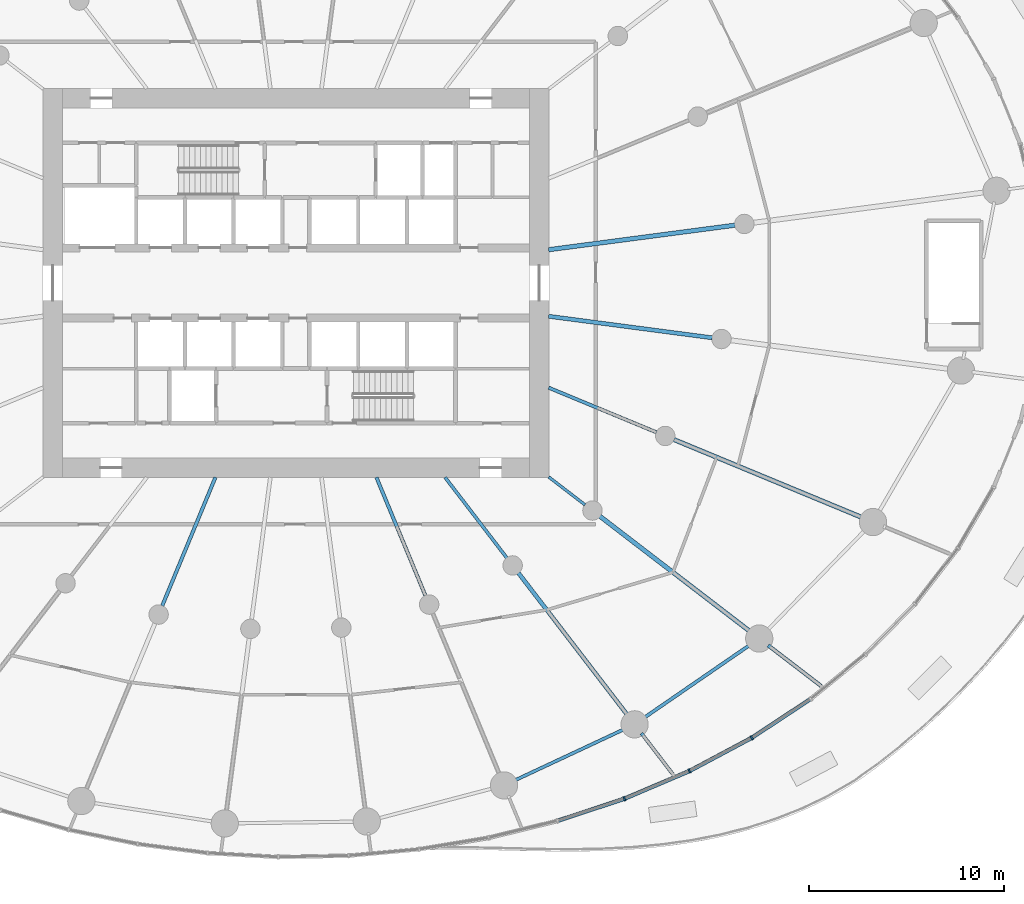
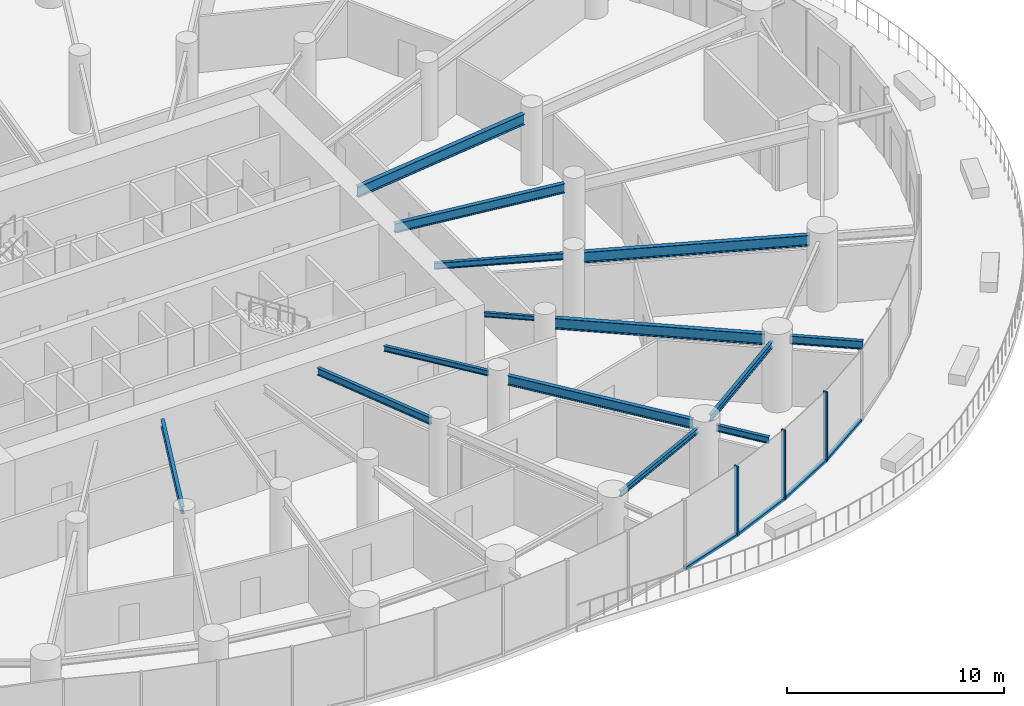
# One storey, part 4 of 21: 14 beams, 7 members, 1 element without a shape of its own.
"""IFC4 building model written with IfcOpenShell, lengths in metres."""

from ifc_helpers import new_model, si_unit, direction, frame, origin, origin_2d, place, context, subcontext, project, spatial, rectangle, i_section, extrude, source, transform, mapped, material, layer, layer_set, material_profile, profile_set, type_object, element, aggregate, save


model = new_model("IFC4")

# Units and contexts
model_context = context("Model", 3, precision=1e-05, world=origin(), true_north=direction((0.0, 1.0)))
body_context = subcontext(model_context, "Body", "Model", "MODEL_VIEW")
ifc_project = project(units=[si_unit("LENGTHUNIT", "METRE"), si_unit("AREAUNIT", "SQUARE_METRE"), si_unit("VOLUMEUNIT", "CUBIC_METRE"), si_unit("PLANEANGLEUNIT", "RADIAN"), si_unit("MASSUNIT", "GRAM", prefix="KILO")], contexts=[model_context])

# Site, building, storey
site_placement = place(None, origin())
site = spatial("IfcSite", under=ifc_project, at=site_placement, CompositionType="ELEMENT")
building_placement = place(site_placement, origin())
building = spatial("IfcBuilding", under=site, at=building_placement, Name="Spindrift Exchange Tower", CompositionType="ELEMENT")
storey_placement = place(building_placement, frame((0.0, 0.0, 18.199951171875)))
storey = spatial("IfcBuildingStorey", under=building, at=storey_placement, Name="L04", CompositionType="ELEMENT", Elevation=18.199951171875)

# Beams
ifc_material_1 = material(Name="Steel Grade 300", Category="steel")
ifc_material_profile_1 = material_profile(ifc_material_1, i_section(OverallWidth=0.22802734375, OverallDepth=0.60693359375, WebThickness=0.01123046875, FlangeThickness=0.017333984375, FilletRadius=0.013916015625, at=origin_2d()), Name="610UB113")
ifc_profile_set_1 = profile_set([ifc_material_profile_1], Name="Steel Grade 300")
beam_type_1 = type_object("IfcBeamType", Name="Floor Beam 610UB113 Steel Grade 300", PredefinedType="BEAM", material=ifc_profile_set_1)
shared_shape_1 = source(origin(), body_context, "Body", "SweptSolid", [
    extrude(i_section(OverallWidth=0.22802734375, OverallDepth=0.60693359375, WebThickness=0.01123046875, FlangeThickness=0.017333984375, FilletRadius=0.013916015625, at=origin_2d()), origin(), (0.0, 0.0, 1.0), 9.660400390625),
])
beam_1_placement = place(storey_placement, frame((64.980224609375, 49.708984375, 3.646484375), z_axis=(0.99144767089, 0.130504850054, 0.0), x_axis=(-0.130504850054, 0.99144767089, 0.0)))
element("IfcBeam", 1, at=beam_1_placement, inside=storey, type_object=beam_type_1, Name="L04 radial beam R01A", PredefinedType="BEAM", context=body_context, shape_type="MappedRepresentation", body=[
    mapped(shared_shape_1, transform((0.0, 0.0, 0.0), scale=1.0)),
])
ifc_material_profile_2 = material_profile(ifc_material_1, i_section(OverallWidth=0.177978515625, OverallDepth=0.406005859375, WebThickness=0.0078125, FlangeThickness=0.0126953125, FilletRadius=0.013916015625, at=origin_2d()), Name="410UB59.7")
ifc_profile_set_2 = profile_set([ifc_material_profile_2], Name="Steel Grade 300")
beam_type_2 = type_object("IfcBeamType", Name="Floor Beam 410UB59.7 Steel Grade 300", PredefinedType="BEAM", material=ifc_profile_set_2)
shared_shape_2 = source(origin(), body_context, "Body", "SweptSolid", [
    extrude(i_section(OverallWidth=0.177978515625, OverallDepth=0.406005859375, WebThickness=0.0078125, FlangeThickness=0.0126953125, FilletRadius=0.013916015625, at=origin_2d()), origin(), (0.0, 0.0, 1.0), 7.150634765625),
])
beam_2_placement = place(storey_placement, frame((47.865478515625, 38.0185546875, 3.7470703125), z_axis=(-0.382665393358, -0.923887004306, 0.0), x_axis=(0.923887004306, -0.382665393358, 0.0)))
element("IfcBeam", 2, at=beam_2_placement, inside=storey, type_object=beam_type_2, Name="L04 radial beam R17A", PredefinedType="BEAM", context=body_context, shape_type="MappedRepresentation", body=[
    mapped(shared_shape_2, transform((0.0, 0.0, 0.0), scale=1.0)),
])
shared_shape_3 = source(origin(), body_context, "Body", "SweptSolid", [
    extrude(i_section(OverallWidth=0.177978515625, OverallDepth=0.406005859375, WebThickness=0.0078125, FlangeThickness=0.0126953125, FilletRadius=0.013916015625, at=origin_2d()), origin(), (0.0, 0.0, 1.0), 6.594482421875),
])
beam_3_placement = place(storey_placement, frame((56.134521484375, 38.0185546875, 3.7470703125), z_axis=(0.382692929746, -0.92387559851, 0.0), x_axis=(0.92387559851, 0.382692929746, 0.0)))
element("IfcBeam", 3, at=beam_3_placement, inside=storey, type_object=beam_type_2, Name="L04 radial beam R20A", PredefinedType="BEAM", context=body_context, shape_type="MappedRepresentation", body=[
    mapped(shared_shape_3, transform((0.0, 0.0, 0.0), scale=1.0)),
])
ifc_material_profile_3 = material_profile(ifc_material_1, i_section(OverallWidth=0.1650390625, OverallDepth=0.303955078125, WebThickness=0.006103515625, FlangeThickness=0.01025390625, FilletRadius=0.011474609375, at=origin_2d()), Name="310UB40.4")
ifc_profile_set_3 = profile_set([ifc_material_profile_3], Name="Steel Grade 300")
beam_type_3 = type_object("IfcBeamType", Name="Floor Beam 310UB40.4 Steel Grade 300", PredefinedType="BEAM", material=ifc_profile_set_3)
shared_shape_4 = source(origin(), body_context, "Body", "SweptSolid", [
    extrude(i_section(OverallWidth=0.1650390625, OverallDepth=0.303955078125, WebThickness=0.006103515625, FlangeThickness=0.01025390625, FilletRadius=0.011474609375, at=origin_2d()), origin(), (0.0, 0.0, 1.0), 5.224609375),
])
beam_4_placement = place(storey_placement, frame((59.6611328125, 38.015869140625, 3.798095703125), z_axis=(0.608741499316, -0.793368632485, 0.0), x_axis=(0.793368632485, 0.608741499316, 0.0)))
element("IfcBeam", 4, at=beam_4_placement, inside=storey, type_object=beam_type_3, Name="L04 radial beam R21A", PredefinedType="BEAM", context=body_context, shape_type="MappedRepresentation", body=[
    mapped(shared_shape_4, transform((0.0, 0.0, 0.0), scale=1.0)),
])
ifc_material_profile_4 = material_profile(ifc_material_1, i_section(OverallWidth=0.208984375, OverallDepth=0.532958984375, WebThickness=0.01025390625, FlangeThickness=0.015625, FilletRadius=0.013916015625, at=origin_2d()), Name="530UB92.4")
ifc_profile_set_4 = profile_set([ifc_material_profile_4], Name="Steel Grade 300")
beam_type_4 = type_object("IfcBeamType", Name="Floor Beam 530UB92.4 Steel Grade 300", PredefinedType="BEAM", material=ifc_profile_set_4)
shared_shape_5 = source(origin(), body_context, "Body", "SweptSolid", [
    extrude(i_section(OverallWidth=0.208984375, OverallDepth=0.532958984375, WebThickness=0.01025390625, FlangeThickness=0.015625, FilletRadius=0.013916015625, at=origin_2d()), origin(), (0.0, 0.0, 1.0), 9.227783203125),
])
beam_5_placement = place(storey_placement, frame((63.426025390625, 33.109375, 3.68359375), z_axis=(0.608747534474, -0.79336400175, 0.0), x_axis=(0.79336400175, 0.608747534474, 0.0)))
element("IfcBeam", 5, at=beam_5_placement, inside=storey, type_object=beam_type_4, Name="L04 radial beam R21B", PredefinedType="BEAM", context=body_context, shape_type="MappedRepresentation", body=[
    mapped(shared_shape_5, transform((0.0, 0.0, 0.0), scale=1.0)),
])
ifc_material_profile_5 = material_profile(ifc_material_1, i_section(OverallWidth=0.14599609375, OverallDepth=0.251953125, WebThickness=0.006103515625, FlangeThickness=0.008544921875, FilletRadius=0.011962890625, at=origin_2d()), Name="250UB31.4")
ifc_profile_set_5 = profile_set([ifc_material_profile_5], Name="Steel Grade 300")
beam_type_5 = type_object("IfcBeamType", Name="Floor Beam 250UB31.4 Steel Grade 300", PredefinedType="BEAM", material=ifc_profile_set_5)
shared_shape_6 = source(origin(), body_context, "Body", "SweptSolid", [
    extrude(i_section(OverallWidth=0.14599609375, OverallDepth=0.251953125, WebThickness=0.006103515625, FlangeThickness=0.008544921875, FilletRadius=0.011962890625, at=origin_2d()), origin(), (0.0, 0.0, 1.0), 2.353759765625),
])
beam_6_placement = place(storey_placement, frame((64.984130859375, 38.036865234375, 3.823974609375), z_axis=(0.793367573265, -0.608742879787, 0.0), x_axis=(0.608742879787, 0.793367573265, 0.0)))
element("IfcBeam", 6, at=beam_6_placement, inside=storey, type_object=beam_type_5, Name="L04 radial beam R22A", PredefinedType="BEAM", context=body_context, shape_type="MappedRepresentation", body=[
    mapped(shared_shape_6, transform((0.0, 0.0, 0.0), scale=1.0)),
])
shared_shape_7 = source(origin(), body_context, "Body", "SweptSolid", [
    extrude(i_section(OverallWidth=0.22802734375, OverallDepth=0.60693359375, WebThickness=0.01123046875, FlangeThickness=0.017333984375, FilletRadius=0.013916015625, at=origin_2d()), origin(), (0.0, 0.0, 1.0), 9.73974609375),
])
beam_7_placement = place(storey_placement, frame((67.61328125, 36.01953125, 3.646484375), z_axis=(0.793352119621, -0.608763019814, 0.0), x_axis=(0.608763019814, 0.793352119621, 0.0)))
element("IfcBeam", 7, at=beam_7_placement, inside=storey, type_object=beam_type_1, Name="L04 radial beam R22B", PredefinedType="BEAM", context=body_context, shape_type="MappedRepresentation", body=[
    mapped(shared_shape_7, transform((0.0, 0.0, 0.0), scale=1.0)),
])
ifc_material_profile_6 = material_profile(ifc_material_1, i_section(OverallWidth=0.172119140625, OverallDepth=0.35888671875, WebThickness=0.008056640625, FlangeThickness=0.012939453125, FilletRadius=0.013916015625, at=origin_2d()), Name="360UB56.7")
ifc_profile_set_6 = profile_set([ifc_material_profile_6], Name="Steel Grade 300")
beam_type_6 = type_object("IfcBeamType", Name="Floor Beam 360UB56.7 Steel Grade 300", PredefinedType="BEAM", material=ifc_profile_set_6)
shared_shape_8 = source(origin(), body_context, "Body", "SweptSolid", [
    extrude(i_section(OverallWidth=0.172119140625, OverallDepth=0.35888671875, WebThickness=0.008056640625, FlangeThickness=0.012939453125, FilletRadius=0.013916015625, at=origin_2d()), origin(), (0.0, 0.0, 1.0), 6.004638671875),
])
beam_8_placement = place(storey_placement, frame((64.9814453125, 42.622802734375, 3.7705078125), z_axis=(0.923882044911, -0.38267736684, 0.0), x_axis=(0.38267736684, 0.923882044911, 0.0)))
element("IfcBeam", 8, at=beam_8_placement, inside=storey, type_object=beam_type_6, Name="L04 radial beam R23A", PredefinedType="BEAM", context=body_context, shape_type="MappedRepresentation", body=[
    mapped(shared_shape_8, transform((0.0, 0.0, 0.0), scale=1.0)),
])
shared_shape_9 = source(origin(), body_context, "Body", "SweptSolid", [
    extrude(i_section(OverallWidth=0.22802734375, OverallDepth=0.60693359375, WebThickness=0.01123046875, FlangeThickness=0.017333984375, FilletRadius=0.013916015625, at=origin_2d()), origin(), (0.0, 0.0, 1.0), 10.4912109375),
])
beam_9_placement = place(storey_placement, frame((71.416015625, 39.95751953125, 3.646484375), z_axis=(0.923885231151, -0.382669674342, 0.0), x_axis=(0.382669674342, 0.923885231151, 0.0)))
element("IfcBeam", 9, at=beam_9_placement, inside=storey, type_object=beam_type_1, Name="L04 radial beam R23B", PredefinedType="BEAM", context=body_context, shape_type="MappedRepresentation", body=[
    mapped(shared_shape_9, transform((0.0, 0.0, 0.0), scale=1.0)),
])
shared_shape_10 = source(origin(), body_context, "Body", "SweptSolid", [
    extrude(i_section(OverallWidth=0.208984375, OverallDepth=0.532958984375, WebThickness=0.01025390625, FlangeThickness=0.015625, FilletRadius=0.013916015625, at=origin_2d()), origin(), (0.0, 0.0, 1.0), 8.4794921875),
])
beam_10_placement = place(storey_placement, frame((64.980224609375, 46.291015625, 3.68359375), z_axis=(0.991446551951, -0.13051335037, 0.0), x_axis=(0.13051335037, 0.991446551951, 0.0)))
element("IfcBeam", 10, at=beam_10_placement, inside=storey, type_object=beam_type_4, Name="L04 radial beam R24A", PredefinedType="BEAM", context=body_context, shape_type="MappedRepresentation", body=[
    mapped(shared_shape_10, transform((0.0, 0.0, 0.0), scale=1.0)),
])
ifc_material_profile_7 = material_profile(ifc_material_1, i_section(OverallWidth=0.1650390625, OverallDepth=0.303955078125, WebThickness=0.006103515625, FlangeThickness=0.01025390625, FilletRadius=0.011474609375, at=origin_2d()), Name="310UB40.4")
ifc_profile_set_7 = profile_set([ifc_material_profile_7], Name="Steel Grade 300")
beam_type_7 = type_object("IfcBeamType", Name="Edge Beam 310UB40.4 Steel Grade 300", PredefinedType="SPANDREL", material=ifc_profile_set_7)
shared_shape_11 = source(origin(), body_context, "Body", "SweptSolid", [
    extrude(i_section(OverallWidth=0.1650390625, OverallDepth=0.303955078125, WebThickness=0.006103515625, FlangeThickness=0.01025390625, FilletRadius=0.011474609375, at=origin_2d()), origin(), (0.0, 0.0, 1.0), 6.243408203125),
])
beam_11_placement = place(storey_placement, frame((63.2158203125, 22.43701171875, 3.798095703125), z_axis=(0.905791146607, 0.423724437257, 0.0), x_axis=(-0.423724437257, 0.905791146607, 0.0)))
element("IfcBeam", 11, at=beam_11_placement, inside=storey, type_object=beam_type_7, Name="L04 edge beam E20", PredefinedType="SPANDREL", context=body_context, shape_type="MappedRepresentation", body=[
    mapped(shared_shape_11, transform((0.0, 0.0, 0.0), scale=1.0)),
])
ifc_material_profile_8 = material_profile(ifc_material_1, i_section(OverallWidth=0.172119140625, OverallDepth=0.35888671875, WebThickness=0.008056640625, FlangeThickness=0.012939453125, FilletRadius=0.013916015625, at=origin_2d()), Name="360UB56.7")
ifc_profile_set_8 = profile_set([ifc_material_profile_8], Name="Steel Grade 300")
beam_type_8 = type_object("IfcBeamType", Name="Edge Beam 360UB56.7 Steel Grade 300", PredefinedType="SPANDREL", material=ifc_profile_set_8)
shared_shape_12 = source(origin(), body_context, "Body", "SweptSolid", [
    extrude(i_section(OverallWidth=0.172119140625, OverallDepth=0.35888671875, WebThickness=0.008056640625, FlangeThickness=0.012939453125, FilletRadius=0.013916015625, at=origin_2d()), origin(), (0.0, 0.0, 1.0), 6.614990234375),
])
beam_12_placement = place(storey_placement, frame((69.874267578125, 25.6572265625, 3.7705078125), z_axis=(0.823690708835, 0.567039342708, 0.0), x_axis=(-0.567039342708, 0.823690708835, 0.0)))
element("IfcBeam", 12, at=beam_12_placement, inside=storey, type_object=beam_type_8, Name="L04 edge beam E21", PredefinedType="SPANDREL", context=body_context, shape_type="MappedRepresentation", body=[
    mapped(shared_shape_12, transform((0.0, 0.0, 0.0), scale=1.0)),
])
ifc_material_profile_9 = material_profile(ifc_material_1, i_section(OverallWidth=0.172119140625, OverallDepth=0.35888671875, WebThickness=0.008056640625, FlangeThickness=0.012939453125, FilletRadius=0.013916015625, at=origin_2d()), Name="360UB56.7")
ifc_profile_set_9 = profile_set([ifc_material_profile_9], Name="Steel Grade 300")
beam_type_9 = type_object("IfcBeamType", Name="Cantilever Beam 360UB56.7 Steel Grade 300", PredefinedType="BEAM", material=ifc_profile_set_9)
shared_shape_13 = source(origin(), body_context, "Body", "SweptSolid", [
    extrude(i_section(OverallWidth=0.172119140625, OverallDepth=0.35888671875, WebThickness=0.008056640625, FlangeThickness=0.012939453125, FilletRadius=0.013916015625, at=origin_2d()), origin(), (0.0, 0.0, 1.0), 2.634521484375),
])
beam_13_placement = place(storey_placement, frame((69.749755859375, 24.8681640625, 3.7705078125), z_axis=(0.608756392713, -0.793357204752, 0.0), x_axis=(0.793357204752, 0.608756392713, 0.0)))
element("IfcBeam", 13, at=beam_13_placement, inside=storey, type_object=beam_type_9, Name="L04 cantilever beam R21T", PredefinedType="BEAM", context=body_context, shape_type="MappedRepresentation", body=[
    mapped(shared_shape_13, transform((0.0, 0.0, 0.0), scale=1.0)),
])
ifc_material_profile_10 = material_profile(ifc_material_1, i_section(OverallWidth=0.18994140625, OverallDepth=0.45703125, WebThickness=0.009033203125, FlangeThickness=0.014404296875, FilletRadius=0.013916015625, at=origin_2d()), Name="460UB74.6")
ifc_profile_set_10 = profile_set([ifc_material_profile_10], Name="Steel Grade 300")
beam_type_10 = type_object("IfcBeamType", Name="Cantilever Beam 460UB74.6 Steel Grade 300", PredefinedType="BEAM", material=ifc_profile_set_10)
shared_shape_14 = source(origin(), body_context, "Body", "SweptSolid", [
    extrude(i_section(OverallWidth=0.18994140625, OverallDepth=0.45703125, WebThickness=0.009033203125, FlangeThickness=0.014404296875, FilletRadius=0.013916015625, at=origin_2d()), origin(), (0.0, 0.0, 1.0), 3.4130859375),
])
beam_14_placement = place(storey_placement, frame((76.2607421875, 29.384033203125, 3.721435546875), z_axis=(0.793367975239, -0.608742355899, 0.0), x_axis=(0.608742355899, 0.793367975239, 0.0)))
element("IfcBeam", 14, at=beam_14_placement, inside=storey, type_object=beam_type_10, Name="L04 cantilever beam R22T", PredefinedType="BEAM", context=body_context, shape_type="MappedRepresentation", body=[
    mapped(shared_shape_14, transform((0.0, 0.0, 0.0), scale=1.0)),
])

# Curtain wall, members
ifc_material_2 = material(Name="Fritted laminated glass with bronze frame", Category="glass")
ifc_layer = layer(ifc_material_2, 0.219970703125)
ifc_layer_set = layer_set([ifc_layer], Name="PODIUM BRONZE GLAZED WALL")
curtain_wall_type = type_object("IfcCurtainWallType", Name="PODIUM BRONZE GLAZED WALL", PredefinedType="NOTDEFINED", material=ifc_layer_set)
curtain_wall_placement = place(storey_placement, origin())
curtain_wall = element("IfcCurtainWall", 15, at=curtain_wall_placement, inside=storey, type_object=curtain_wall_type, Name="L04 Podium Bronze Glazed Wall run 9", PredefinedType="NOTDEFINED")
ifc_material_3 = material(Name="Bronze anodised aluminium", Category="aluminium")
ifc_material_profile_11 = material_profile(ifc_material_3, rectangle(XDim=0.090087890625, YDim=0.219970703125, at=origin_2d()), Name="PODIUM BRONZE GLAZED WALL MULLION 90X220")
ifc_profile_set_11 = profile_set([ifc_material_profile_11], Name="Bronze anodised aluminium")
member_type_1 = type_object("IfcMemberType", Name="PODIUM BRONZE GLAZED WALL MULLION 90X220", PredefinedType="MULLION", material=ifc_profile_set_11)
shared_shape_15 = source(origin(), body_context, "Body", "SweptSolid", [
    extrude(rectangle(XDim=0.090087890625, YDim=0.219970703125, at=origin_2d()), origin(), (0.0, 0.0, 1.0), 3.949951171875),
])
member_1_placement = place(storey_placement, frame((68.87548828125, 21.509521484375, 0.0), z_axis=(0.0, 0.0, 1.0), x_axis=(0.935479053245, 0.353382145757, 0.0)))
member_1 = element("IfcMember", 16, at=member_1_placement, type_object=member_type_1, Name="L04 mullion CW-P.50", PredefinedType="MULLION", context=body_context, shape_type="MappedRepresentation", body=[
    mapped(shared_shape_15, transform((0.0, 0.0, 0.0), scale=1.0)),
])
member_2_placement = place(storey_placement, frame((72.212890625, 22.93017578125, 0.0), z_axis=(0.0, 0.0, 1.0), x_axis=(0.902161476757, 0.431398504697, 0.0)))
member_2 = element("IfcMember", 17, at=member_2_placement, type_object=member_type_1, Name="L04 mullion CW-P.51", PredefinedType="MULLION", context=body_context, shape_type="MappedRepresentation", body=[
    mapped(shared_shape_15, transform((0.0, 0.0, 0.0), scale=1.0)),
])
member_3_placement = place(storey_placement, frame((75.41357421875, 24.635986328125, 0.0), z_axis=(0.0, 0.0, 1.0), x_axis=(0.859576504333, 0.511007077445, 0.0)))
member_3 = element("IfcMember", 18, at=member_3_placement, type_object=member_type_1, Name="L04 mullion CW-P.52", PredefinedType="MULLION", context=body_context, shape_type="MappedRepresentation", body=[
    mapped(shared_shape_15, transform((0.0, 0.0, 0.0), scale=1.0)),
])
ifc_material_profile_12 = material_profile(ifc_material_3, rectangle(XDim=0.199951171875, YDim=0.159912109375, at=origin_2d()), Name="PODIUM BRONZE GLAZED WALL TRANSOM 200X160")
ifc_profile_set_12 = profile_set([ifc_material_profile_12], Name="Bronze anodised aluminium")
member_type_2 = type_object("IfcMemberType", Name="PODIUM BRONZE GLAZED WALL TRANSOM 200X160", PredefinedType="USERDEFINED", material=ifc_profile_set_12)
shared_shape_16 = source(origin(), body_context, "Body", "SweptSolid", [
    extrude(rectangle(XDim=0.199951171875, YDim=0.159912109375, at=origin_2d()), origin(), (0.0, 0.0, 1.0), 3.53662109375),
])
member_4_placement = place(storey_placement, frame((75.451171875, 24.660888671875, 0.080078125), z_axis=(0.834811831843, 0.550535380712, 0.0), x_axis=(-0.550535380712, 0.834811831843, 0.0)))
member_4 = element("IfcMember", 19, at=member_4_placement, type_object=member_type_2, Name="L04 transom CW-P.52", ObjectType="TRANSOM", PredefinedType="USERDEFINED", context=body_context, shape_type="MappedRepresentation", body=[
    mapped(shared_shape_16, transform((0.0, 0.0, 0.0), scale=1.0)),
])
shared_shape_17 = source(origin(), body_context, "Body", "SweptSolid", [
    extrude(rectangle(XDim=0.199951171875, YDim=0.159912109375, at=origin_2d()), origin(), (0.0, 0.0, 1.0), 3.536865234375),
])
member_5_placement = place(storey_placement, frame((72.25244140625, 22.951171875, 0.080078125), z_axis=(0.88248665671, 0.470337432837, 0.0), x_axis=(-0.470337432837, 0.88248665671, 0.0)))
member_5 = element("IfcMember", 20, at=member_5_placement, type_object=member_type_2, Name="L04 transom CW-P.51", ObjectType="TRANSOM", PredefinedType="USERDEFINED", context=body_context, shape_type="MappedRepresentation", body=[
    mapped(shared_shape_17, transform((0.0, 0.0, 0.0), scale=1.0)),
])
shared_shape_18 = source(origin(), body_context, "Body", "SweptSolid", [
    extrude(rectangle(XDim=0.199951171875, YDim=0.159912109375, at=origin_2d()), origin(), (0.0, 0.0, 1.0), 3.537109375),
])
member_6_placement = place(storey_placement, frame((68.916748046875, 21.52734375, 0.080078125), z_axis=(0.920123944878, 0.391627279517, 0.0), x_axis=(-0.391627279517, 0.920123944878, 0.0)))
member_6 = element("IfcMember", 21, at=member_6_placement, type_object=member_type_2, Name="L04 transom CW-P.50", ObjectType="TRANSOM", PredefinedType="USERDEFINED", context=body_context, shape_type="MappedRepresentation", body=[
    mapped(shared_shape_18, transform((0.0, 0.0, 0.0), scale=1.0)),
])
shared_shape_19 = source(origin(), body_context, "Body", "SweptSolid", [
    extrude(rectangle(XDim=0.199951171875, YDim=0.159912109375, at=origin_2d()), origin(), (0.0, 0.0, 1.0), 3.537353515625),
])
member_7_placement = place(storey_placement, frame((65.474853515625, 20.3828125, 0.080078125), z_axis=(0.949254579468, 0.31450873336, 0.0), x_axis=(-0.31450873336, 0.949254579468, 0.0)))
member_7 = element("IfcMember", 22, at=member_7_placement, type_object=member_type_2, Name="L04 transom CW-P.49", ObjectType="TRANSOM", PredefinedType="USERDEFINED", context=body_context, shape_type="MappedRepresentation", body=[
    mapped(shared_shape_19, transform((0.0, 0.0, 0.0), scale=1.0)),
])
aggregate(curtain_wall, [member_7, member_1, member_6, member_2, member_5, member_3, member_4])

save(model, "model.ifc")
